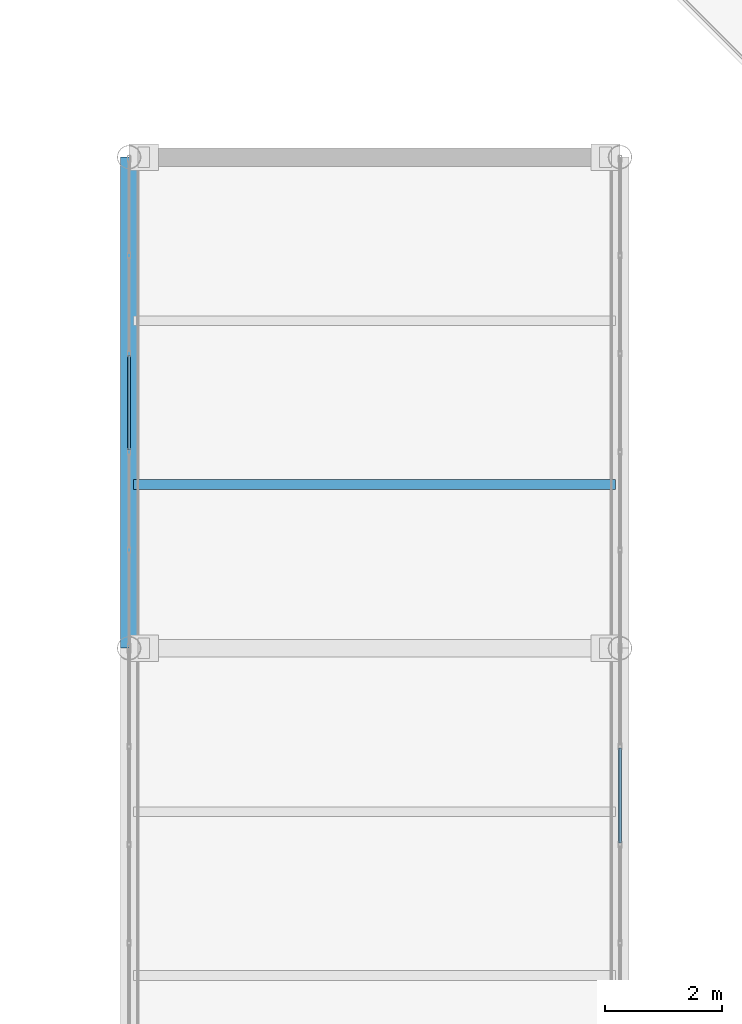
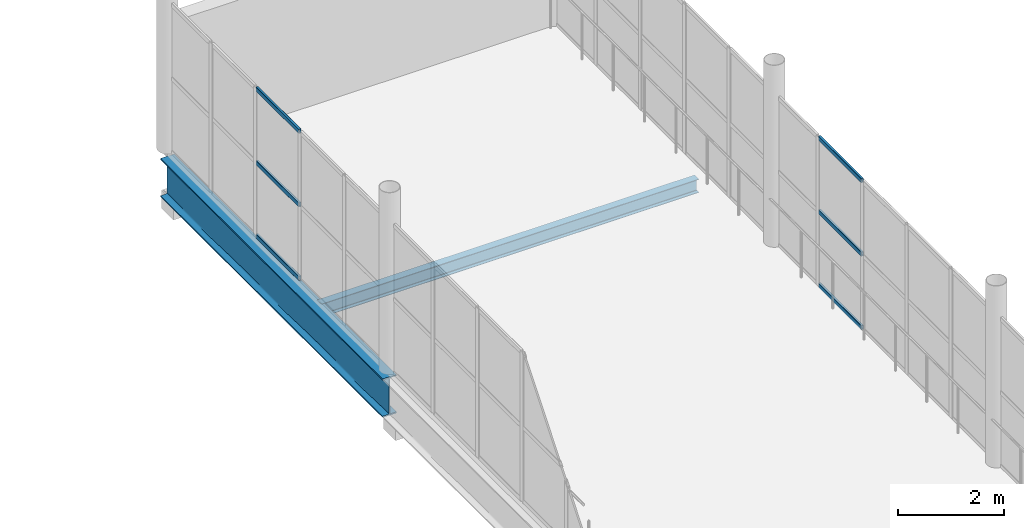
# One storey, part 56 of 163: 6 members, 2 beams, 2 elements without a shape of their own.
"""IFC4 building model written with IfcOpenShell, lengths in metres."""

from ifc_helpers import new_model, si_unit, direction, frame, origin, origin_2d, place, context, subcontext, project, spatial, hollow_rectangle, i_section, extrude, material, layer, layer_set, material_profile, profile_set, type_object, element, aggregate, save


model = new_model("IFC4")

# Units and contexts
model_context = context("Model", 3, precision=1e-05, world=origin(), true_north=direction((0.0, 1.0)))
body_context = subcontext(model_context, "Body", "Model", "MODEL_VIEW")
ifc_project = project(units=[si_unit("LENGTHUNIT", "METRE"), si_unit("AREAUNIT", "SQUARE_METRE"), si_unit("VOLUMEUNIT", "CUBIC_METRE"), si_unit("PLANEANGLEUNIT", "RADIAN"), si_unit("MASSUNIT", "GRAM", prefix="KILO")], contexts=[model_context])

# Site, building, storey
site_placement = place(None, origin())
site = spatial("IfcSite", under=ifc_project, at=site_placement, CompositionType="ELEMENT")
building_placement = place(site_placement, origin())
building = spatial("IfcBuilding", under=site, at=building_placement, Name="Qalvenar Corner Mobility Hub", CompositionType="ELEMENT")
storey_placement = place(building_placement, frame((0.0, 0.0, 4.800048828125)))
storey = spatial("IfcBuildingStorey", under=building, at=storey_placement, Name="L01", CompositionType="ELEMENT", Elevation=4.800048828125)

# Beams
ifc_material_1 = material(Name="Steel S355", Category="steel")
ifc_material_profile_1 = material_profile(ifc_material_1, i_section(OverallWidth=0.300048828125, OverallDepth=0.889892578125, WebThickness=0.01611328125, FlangeThickness=0.030029296875, FilletRadius=0.027099609375, at=origin_2d()), Name="HEA900")
ifc_profile_set_1 = profile_set([ifc_material_profile_1], Name="Steel S355")
beam_type_1 = type_object("IfcBeamType", Name="BM-BRG900", PredefinedType="BEAM", material=ifc_profile_set_1)
beam_1_placement = place(storey_placement, frame((50.39990234375, 58.800048828125, -0.635009765625), z_axis=(0.0, 1.0, 0.0), x_axis=(-1.0, 0.0, 0.0)))
element("IfcBeam", 1, at=beam_1_placement, inside=storey, type_object=beam_type_1, Name="Court Link Bridge Girder BRG-1528", PredefinedType="BEAM", context=body_context, shape_type="SweptSolid", body=[
    extrude(i_section(OverallWidth=0.300048828125, OverallDepth=0.889892578125, WebThickness=0.01611328125, FlangeThickness=0.030029296875, FilletRadius=0.027099609375, at=origin_2d()), origin(), (0.0, 0.0, 1.0), 8.39990234375),
])
ifc_material_profile_2 = material_profile(ifc_material_1, i_section(OverallWidth=0.1650390625, OverallDepth=0.31005859375, WebThickness=0.005859375, FlangeThickness=0.009765625, FilletRadius=0.011962890625, at=origin_2d()), Name="W310x38.7")
ifc_profile_set_2 = profile_set([ifc_material_profile_2], Name="Steel S355")
beam_type_2 = type_object("IfcBeamType", Name="BM-JST310", PredefinedType="JOIST", material=ifc_profile_set_2)
beam_2_placement = place(storey_placement, frame((50.47802734375, 61.60009765625, -0.344970703125), z_axis=(1.0, 0.0, 0.0), x_axis=(0.0, 1.0, 0.0)))
element("IfcBeam", 2, at=beam_2_placement, inside=storey, type_object=beam_type_2, Name="Composite Floor Joist J-1539", PredefinedType="JOIST", context=body_context, shape_type="SweptSolid", body=[
    extrude(i_section(OverallWidth=0.1650390625, OverallDepth=0.31005859375, WebThickness=0.005859375, FlangeThickness=0.009765625, FilletRadius=0.011962890625, at=origin_2d()), origin(), (0.0, 0.0, 1.0), 8.243896484375),
])

# Curtain wall, members
ifc_material_2 = material(Name="Anodised Aluminium and Low-E Glazing", Category="aluminium")
ifc_layer = layer(ifc_material_2, 0.1201171875)
ifc_layer_set = layer_set([ifc_layer], Name="Anodised Aluminium and Low-E Glazing")
curtain_wall_type = type_object("IfcCurtainWallType", Name="CW-BRG-84X28", PredefinedType="NOTDEFINED", material=ifc_layer_set)
curtain_wall_1_placement = place(storey_placement, origin())
curtain_wall_1 = element("IfcCurtainWall", 3, at=curtain_wall_1_placement, inside=storey, type_object=curtain_wall_type, Name="Glazed Curtain Wall CW-BRG-L01-E2", PredefinedType="NOTDEFINED")
ifc_material_3 = material(Name="Anodised Aluminium 6063-T6", Category="aluminium")
ifc_material_profile_3 = material_profile(ifc_material_3, hollow_rectangle(XDim=0.050048828125, YDim=0.10009765625, WallThickness=0.0029296875, InnerFilletRadius=0.0029296875, OuterFilletRadius=0.006103515625, at=origin_2d()), Name="RHS100x50x3")
ifc_profile_set_3 = profile_set([ifc_material_profile_3], Name="Anodised Aluminium 6063-T6")
member_type = type_object("IfcMemberType", Name="CW-TRN100", PredefinedType="USERDEFINED", material=ifc_profile_set_3)
member_1_placement = place(storey_placement, frame((58.800048828125, 55.469970703125, 0.02734375), z_axis=(0.0, 1.0, 0.0), x_axis=(-1.0, 0.0, 0.0)))
member_1 = element("IfcMember", 4, at=member_1_placement, type_object=member_type, Name="CW-11 transom 4.1", ObjectType="TRANSOM", PredefinedType="USERDEFINED", context=body_context, shape_type="SweptSolid", body=[
    extrude(hollow_rectangle(XDim=0.050048828125, YDim=0.10009765625, WallThickness=0.0029296875, InnerFilletRadius=0.0029296875, OuterFilletRadius=0.006103515625, at=origin_2d()), origin(), (0.0, 0.0, 1.0), 1.6201171875),
])
member_2_placement = place(storey_placement, frame((58.800048828125, 55.469970703125, 1.724853515625), z_axis=(0.0, 1.0, 0.0), x_axis=(-1.0, 0.0, 0.0)))
member_2 = element("IfcMember", 5, at=member_2_placement, type_object=member_type, Name="CW-11 transom 4.2", ObjectType="TRANSOM", PredefinedType="USERDEFINED", context=body_context, shape_type="SweptSolid", body=[
    extrude(hollow_rectangle(XDim=0.050048828125, YDim=0.10009765625, WallThickness=0.0029296875, InnerFilletRadius=0.0029296875, OuterFilletRadius=0.006103515625, at=origin_2d()), origin(), (0.0, 0.0, 1.0), 1.6201171875),
])
member_3_placement = place(storey_placement, frame((58.800048828125, 55.469970703125, 3.42236328125), z_axis=(0.0, 1.0, 0.0), x_axis=(-1.0, 0.0, 0.0)))
member_3 = element("IfcMember", 6, at=member_3_placement, type_object=member_type, Name="CW-11 transom 4.3", ObjectType="TRANSOM", PredefinedType="USERDEFINED", context=body_context, shape_type="SweptSolid", body=[
    extrude(hollow_rectangle(XDim=0.050048828125, YDim=0.10009765625, WallThickness=0.0029296875, InnerFilletRadius=0.0029296875, OuterFilletRadius=0.006103515625, at=origin_2d()), origin(), (0.0, 0.0, 1.0), 1.6201171875),
])
aggregate(curtain_wall_1, [member_1, member_2, member_3])

curtain_wall_2_placement = place(storey_placement, origin())
curtain_wall_2 = element("IfcCurtainWall", 7, at=curtain_wall_2_placement, inside=storey, type_object=curtain_wall_type, Name="Glazed Curtain Wall CW-BRG-L01-W3", PredefinedType="NOTDEFINED")
member_4_placement = place(storey_placement, frame((50.39990234375, 63.81005859375, 0.02734375), z_axis=(0.0, -1.0, 0.0), x_axis=(1.0, 0.0, 0.0)))
member_4 = element("IfcMember", 8, at=member_4_placement, type_object=member_type, Name="CW-11 transom 3.1", ObjectType="TRANSOM", PredefinedType="USERDEFINED", context=body_context, shape_type="SweptSolid", body=[
    extrude(hollow_rectangle(XDim=0.050048828125, YDim=0.10009765625, WallThickness=0.0029296875, InnerFilletRadius=0.0029296875, OuterFilletRadius=0.006103515625, at=origin_2d()), origin(), (0.0, 0.0, 1.0), 1.6201171875),
])
member_5_placement = place(storey_placement, frame((50.39990234375, 63.81005859375, 1.724853515625), z_axis=(0.0, -1.0, 0.0), x_axis=(1.0, 0.0, 0.0)))
member_5 = element("IfcMember", 9, at=member_5_placement, type_object=member_type, Name="CW-11 transom 3.2", ObjectType="TRANSOM", PredefinedType="USERDEFINED", context=body_context, shape_type="SweptSolid", body=[
    extrude(hollow_rectangle(XDim=0.050048828125, YDim=0.10009765625, WallThickness=0.0029296875, InnerFilletRadius=0.0029296875, OuterFilletRadius=0.006103515625, at=origin_2d()), origin(), (0.0, 0.0, 1.0), 1.6201171875),
])
member_6_placement = place(storey_placement, frame((50.39990234375, 63.81005859375, 3.42236328125), z_axis=(0.0, -1.0, 0.0), x_axis=(1.0, 0.0, 0.0)))
member_6 = element("IfcMember", 10, at=member_6_placement, type_object=member_type, Name="CW-11 transom 3.3", ObjectType="TRANSOM", PredefinedType="USERDEFINED", context=body_context, shape_type="SweptSolid", body=[
    extrude(hollow_rectangle(XDim=0.050048828125, YDim=0.10009765625, WallThickness=0.0029296875, InnerFilletRadius=0.0029296875, OuterFilletRadius=0.006103515625, at=origin_2d()), origin(), (0.0, 0.0, 1.0), 1.6201171875),
])
aggregate(curtain_wall_2, [member_4, member_5, member_6])

save(model, "model.ifc")
